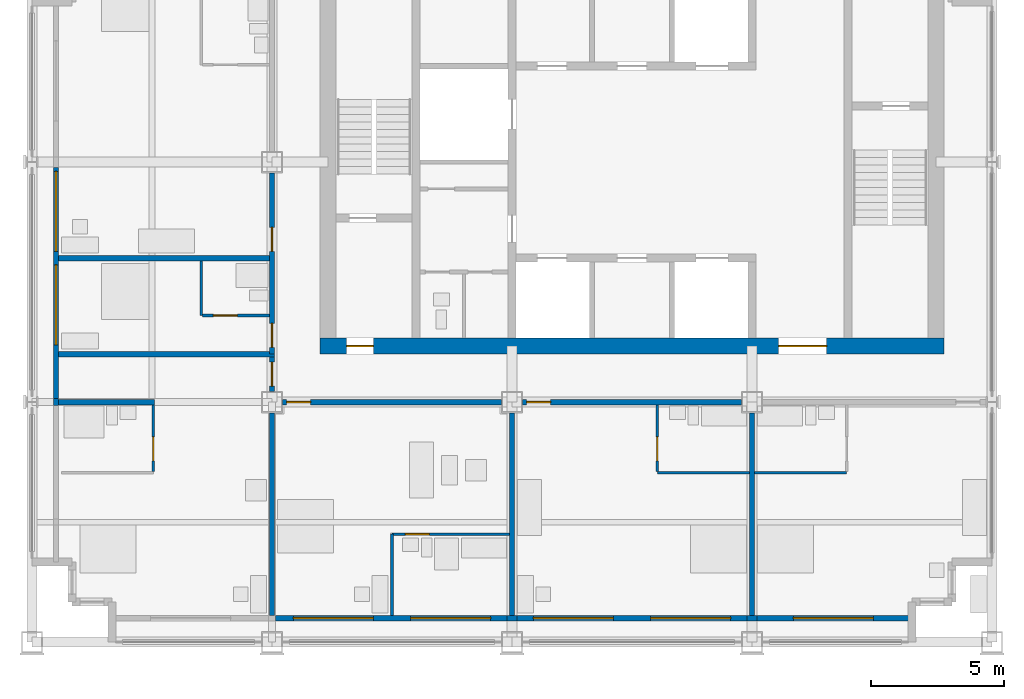
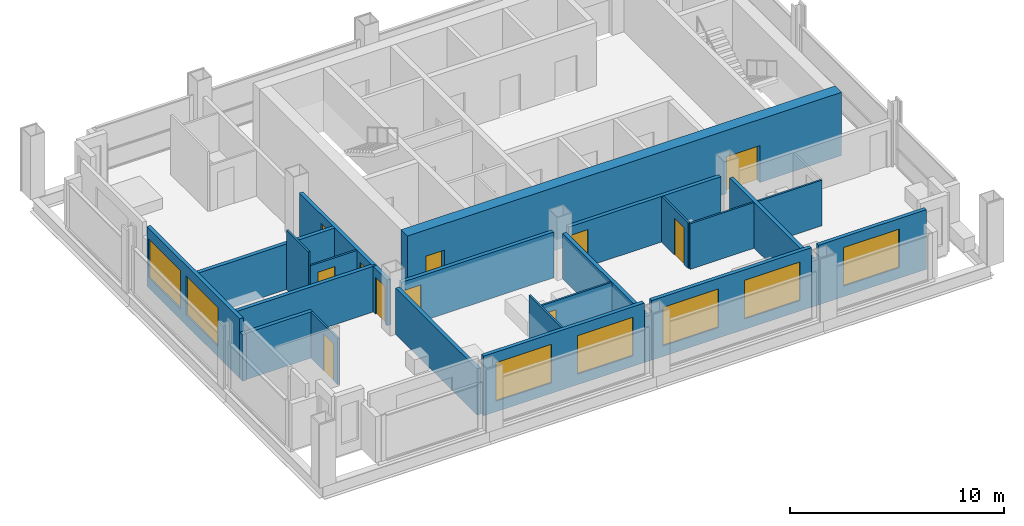
# One storey, part 6 of 11: 26 walls, 11 doors, 7 windows, 18 openings.
"""IFC4 building model written with IfcOpenShell, lengths in metres."""

import ifcopenshell
import ifcopenshell.guid

model = None  # the IFC model being written
_history = None  # IfcOwnerHistory: only IFC2X3 demands one
_inside = {}  # id of a spatial element -> (the spatial element, [elements in it])
_under = {}  # id of a project, library or spatial element -> (it, [spatial elements below it])
_declared = {}  # id of a project -> (the project, [libraries it declares])
_typed = {}  # id of a type object -> (the type object, [elements of that type])
_made_of = {}  # id of a material, layer set ... -> (it, [elements and type objects made of it])


def new_model(schema):
    """Start an empty IFC model of exactly this schema.

    Asked for "IFC4X3", IfcOpenShell would pick the latest addendum, in which some entities
    have other attributes; the version numbers below select the first issue.
    IFC2X3 requires an IfcOwnerHistory on every rooted entity: one is made here for all.
    """
    global model, _history
    if schema == "IFC4X3":
        model = ifcopenshell.file(schema_version=(4, 3, 0, 0))
    else:
        model = ifcopenshell.file(schema=schema)
    _inside.clear()
    _under.clear()
    _declared.clear()
    _typed.clear()
    _made_of.clear()
    _history = None
    if model.schema == "IFC2X3":
        org = make("IfcOrganization", Name="unknown")
        user = make(
            "IfcPersonAndOrganization",
            ThePerson=make("IfcPerson", FamilyName="unknown"),
            TheOrganization=org,
        )
        app = make(
            "IfcApplication",
            ApplicationDeveloper=org,
            Version="unknown",
            ApplicationFullName="unknown",
            ApplicationIdentifier="unknown",
        )
        _history = make(
            "IfcOwnerHistory",
            OwningUser=user,
            OwningApplication=app,
            ChangeAction="ADDED",
            CreationDate=0,
        )
    return model


def make(cls, **values):
    """One entity of the class cls with the attributes given. An attribute that is None is left unset."""
    return model.create_entity(
        cls, **{name: value for name, value in values.items() if value is not None}
    )


def rooted(cls, **values):
    """An entity with a GlobalId (a new one), such as an element, a storey or a relation."""
    return make(cls, GlobalId=ifcopenshell.guid.new(), OwnerHistory=_history, **values)


def si_unit(unit_type, name, prefix=None):
    """IfcSIUnit, for example si_unit("LENGTHUNIT", "METRE", prefix="MILLI")."""
    return make("IfcSIUnit", UnitType=unit_type, Prefix=prefix, Name=name)


def assignment(units):
    """IfcUnitAssignment: the units of a project."""
    return None if units is None else make("IfcUnitAssignment", Units=units)


def point(xyz):
    """IfcCartesianPoint."""
    return None if xyz is None else make("IfcCartesianPoint", Coordinates=xyz)


def direction(xyz):
    """IfcDirection."""
    return None if xyz is None else make("IfcDirection", DirectionRatios=xyz)


def frame(location, z_axis=None, x_axis=None):
    """IfcAxis2Placement3D, a coordinate frame: its origin and axes. An axis left out is left unset."""
    return make(
        "IfcAxis2Placement3D",
        Location=point(location),
        Axis=direction(z_axis),
        RefDirection=direction(x_axis),
    )


def frame_2d(location, x_axis=None):
    """IfcAxis2Placement2D, a coordinate frame in the plane: its origin and x axis."""
    return make(
        "IfcAxis2Placement2D", Location=point(location), RefDirection=direction(x_axis)
    )


def origin():
    """The frame at (0, 0, 0) with its axes left unset."""
    return frame((0.0, 0.0, 0.0))


def place(relative_to, where):
    """IfcLocalPlacement: puts the frame where relative to a parent placement (None: the world)."""
    return make(
        "IfcLocalPlacement", PlacementRelTo=relative_to, RelativePlacement=where
    )


def context(
    kind, dimensions, precision=None, world=None, true_north=None, identifier=None
):
    """IfcGeometricRepresentationContext, for example the 3D "Model" context."""
    return make(
        "IfcGeometricRepresentationContext",
        ContextIdentifier=identifier,
        ContextType=kind,
        CoordinateSpaceDimension=dimensions,
        Precision=precision,
        WorldCoordinateSystem=world,
        TrueNorth=true_north,
    )


def subcontext(parent, identifier, kind, view, scale=None):
    """IfcGeometricRepresentationSubContext, for example "Body" below "Model"."""
    return make(
        "IfcGeometricRepresentationSubContext",
        ContextIdentifier=identifier,
        ContextType=kind,
        ParentContext=parent,
        TargetScale=scale,
        TargetView=view,
    )


def project(units=None, contexts=None):
    """IfcProject with its units and contexts."""
    return rooted(
        "IfcProject",
        Name="project",
        RepresentationContexts=contexts,
        UnitsInContext=assignment(units),
    )


def spatial(cls, under=None, at=None, **own):
    """A site, building, storey or space (cls), placed at a placement, below another one or the project."""
    s = rooted(cls, ObjectPlacement=at, **own)
    if under is not None:
        _under.setdefault(under.id(), (under, []))[1].append(s)
    return s


def profile(cls, at=None, kind="AREA", **sizes):
    """A parametric profile (cls). Its sizes go by their IFC names, for example OverallWidth=200.0."""
    return make(cls, ProfileType=kind, Position=at, **sizes)


def rectangle(**sizes):
    """IfcRectangleProfileDef."""
    return profile("IfcRectangleProfileDef", **sizes)


def extrude(swept, where, along, depth):
    """IfcExtrudedAreaSolid: the profile swept, set in the frame where, extruded along a direction by depth."""
    return make(
        "IfcExtrudedAreaSolid",
        SweptArea=swept,
        Position=where,
        ExtrudedDirection=direction(along),
        Depth=depth,
    )


def shape(context_of_items, identifier, shape_type, items):
    """IfcShapeRepresentation: the items that make up one representation, for example the "Body"."""
    return make(
        "IfcShapeRepresentation",
        ContextOfItems=context_of_items,
        RepresentationIdentifier=identifier,
        RepresentationType=shape_type,
        Items=items,
    )


def material(Name=None, Category=None):
    """IfcMaterial."""
    return make("IfcMaterial", Name=Name, Category=Category)


def layer(
    of_material, thickness, ventilated=None, Name=None, Category=None, Priority=None
):
    """IfcMaterialLayer: one layer of a wall or slab, of a material (None: an air gap)."""
    return make(
        "IfcMaterialLayer",
        Material=of_material,
        LayerThickness=thickness,
        IsVentilated=ventilated,
        Name=Name,
        Category=Category,
        Priority=Priority,
    )


def layer_set(layers, Name=None):
    """IfcMaterialLayerSet."""
    return make("IfcMaterialLayerSet", MaterialLayers=layers, LayerSetName=Name)


def made_of(thing, what):
    """Note that an element or type object is made of a material, layer set ...; save() writes the relation."""
    if what is not None:
        _made_of.setdefault(what.id(), (what, []))[1].append(thing)
    return thing


def type_object(cls, material=None, **own):
    """A type object (cls), such as IfcWallType, which elements share."""
    return made_of(rooted(cls, **own), material)


def element(
    cls,
    number,
    at=None,
    inside=None,
    cuts=None,
    type_object=None,
    material=None,
    context=None,
    identifier="Body",
    shape_type=None,
    held_by="IfcProductDefinitionShape",
    body=None,
    shapes=None,
    **own,
):
    """One element of the class cls, such as IfcWall. Its Tag is "e" and its number.

    at: its placement. inside: the storey or other place that contains it. cuts: it is an
    opening in that element (IfcRelVoidsElement). A single representation is given by context,
    identifier, shape_type and body (its items); several are given by shapes. held_by: the class
    of the entity that holds the representations. save() writes the other relations.
    """
    e = rooted(cls, Tag="e%d" % number, ObjectPlacement=at, **own)
    if body is not None:
        shapes = [shape(context, identifier, shape_type, body)]
    if shapes is not None:
        e.Representation = make(held_by, Representations=shapes)
    if inside is not None:
        _inside.setdefault(inside.id(), (inside, []))[1].append(e)
    if cuts is not None:
        rooted(
            "IfcRelVoidsElement", RelatingBuildingElement=cuts, RelatedOpeningElement=e
        )
    if type_object is not None:
        _typed.setdefault(type_object.id(), (type_object, []))[1].append(e)
    return made_of(e, material)


def fill(opening, filler):
    """IfcRelFillsElement: the door or window that sits in an opening."""
    return rooted(
        "IfcRelFillsElement",
        RelatingOpeningElement=opening,
        RelatedBuildingElement=filler,
    )


def aggregate(whole, parts):
    """IfcRelAggregates: a whole, such as a stair, and the parts it consists of."""
    return rooted("IfcRelAggregates", RelatingObject=whole, RelatedObjects=parts)


def save(model, path):
    """Write the relations noted so far, then the file.

    IfcRelAggregates (storeys below a building ...), IfcRelContainedInSpatialStructure (elements
    in a storey), IfcRelDefinesByType, IfcRelAssociatesMaterial and IfcRelDeclares: one each for
    every whole, place, type object, material and project.
    """
    for whole, parts in _under.values():
        aggregate(whole, parts)
    for where, things in _inside.values():
        rooted(
            "IfcRelContainedInSpatialStructure",
            RelatedElements=things,
            RelatingStructure=where,
        )
    for kind, things in _typed.values():
        rooted("IfcRelDefinesByType", RelatedObjects=things, RelatingType=kind)
    for what, things in _made_of.values():
        rooted("IfcRelAssociatesMaterial", RelatedObjects=things, RelatingMaterial=what)
    for by, libraries in _declared.values():
        rooted("IfcRelDeclares", RelatingContext=by, RelatedDefinitions=libraries)
    model.write(path)


model = new_model("IFC4")

# Units and contexts
model_context = context("Model", 3, precision=1e-05, world=origin(), true_north=direction((0.0, 1.0)))
body_context = subcontext(model_context, "Body", "Model", "MODEL_VIEW")
ifc_project = project(units=[si_unit("LENGTHUNIT", "METRE"), si_unit("AREAUNIT", "SQUARE_METRE"), si_unit("VOLUMEUNIT", "CUBIC_METRE"), si_unit("PLANEANGLEUNIT", "RADIAN"), si_unit("MASSUNIT", "GRAM", prefix="KILO")], contexts=[model_context])

# Site, building, storey
site_placement = place(None, origin())
site = spatial("IfcSite", under=ifc_project, at=site_placement, CompositionType="ELEMENT")
building_placement = place(site_placement, origin())
building = spatial("IfcBuilding", under=site, at=building_placement, Name="Loomwork Tower", CompositionType="ELEMENT")
storey_placement = place(building_placement, frame((0.0, 0.0, 241.0)))
storey = spatial("IfcBuildingStorey", under=building, at=storey_placement, Name="L66", CompositionType="ELEMENT", Elevation=241.0)

# Wall, openings, doors
ifc_material_1 = material(Name="Concrete 14000 psi (97 MPa)", Category="concrete")
ifc_layer_1 = layer(ifc_material_1, 0.60009765625)
ifc_layer_set_1 = layer_set([ifc_layer_1], Name="Core shear wall 600")
wall_type_1 = type_object("IfcWallType", Name="Core shear wall 600", PredefinedType="SHEAR", material=ifc_layer_set_1)
wall_1_placement = place(storey_placement, frame((10.800048828125, 11.10009765625, 0.0), z_axis=(0.0, 0.0, 1.0), x_axis=(1.0, 0.0, 0.0)))
wall_1 = element("IfcWall", 1, at=wall_1_placement, inside=storey, type_object=wall_type_1, Name="Core wall south L66", PredefinedType="SHEAR", context=body_context, shape_type="SweptSolid", body=[
    extrude(rectangle(XDim=23.39990234375, YDim=0.60009765625, at=frame_2d((11.699951171875, 0.0))), origin(), (0.0, 0.0, 1.0), 3.60009765625),
])
opening_1_placement = place(wall_1_placement, frame((1.0, 0.0, 0.0)))
opening_1 = element("IfcOpeningElement", 2, at=opening_1_placement, cuts=wall_1, Name="Opening D4", PredefinedType="OPENING", context=body_context, shape_type="SweptSolid", body=[
    extrude(rectangle(XDim=1.0, YDim=2.10009765625, at=frame_2d((0.5, 1.050048828125))), frame((0.0, 0.31005859375, 0.0), z_axis=(0.0, -1.0, 0.0), x_axis=(1.0, 0.0, 0.0)), (0.0, 0.0, 1.0), 0.6201171875),
])
opening_2_placement = place(wall_1_placement, frame((17.199951171875, 0.0, 0.0)))
opening_2 = element("IfcOpeningElement", 3, at=opening_2_placement, cuts=wall_1, Name="Opening D6", PredefinedType="OPENING", context=body_context, shape_type="SweptSolid", body=[
    extrude(rectangle(XDim=1.800048828125, YDim=2.10009765625, at=frame_2d((0.89990234375, 1.050048828125))), frame((0.0, 0.31005859375, 0.0), z_axis=(0.0, -1.0, 0.0), x_axis=(1.0, 0.0, 0.0)), (0.0, 0.0, 1.0), 0.6201171875),
])
ifc_material_2 = material(Name="Hollow metal door and frame")
door_type_1 = type_object("IfcDoorType", Name="Lobby passage double door 1800", OperationType="DOUBLE_DOOR_SINGLE_SWING", PredefinedType="DOOR", material=ifc_material_2)
door_1_placement = place(opening_2_placement, origin())
door_1 = element("IfcDoor", 4, at=door_1_placement, inside=storey, type_object=door_type_1, Name="Lobby passage door south", OperationType="DOUBLE_DOOR_SINGLE_SWING", OverallHeight=2.10009765625, OverallWidth=1.800048828125, PredefinedType="DOOR", context=body_context, shape_type="SweptSolid", body=[
    extrude(rectangle(XDim=1.800048828125, YDim=2.10009765625, at=frame_2d((0.89990234375, 1.050048828125))), frame((0.0, 0.02490234375, 0.0), z_axis=(0.0, -1.0, 0.0), x_axis=(1.0, 0.0, 0.0)), (0.0, 0.0, 1.0), 0.050048828125),
])
fill(opening_2, door_1)
ifc_material_3 = material(Name="Hollow metal door and frame")
door_type_2 = type_object("IfcDoorType", Name="Stair door 1000", OperationType="SINGLE_SWING_RIGHT", PredefinedType="DOOR", material=ifc_material_3)
door_2_placement = place(opening_1_placement, origin())
door_2 = element("IfcDoor", 5, at=door_2_placement, inside=storey, type_object=door_type_2, Name="Stair A vestibule door", OperationType="SINGLE_SWING_LEFT", OverallHeight=2.10009765625, OverallWidth=1.0, PredefinedType="DOOR", context=body_context, shape_type="SweptSolid", body=[
    extrude(rectangle(XDim=1.0, YDim=2.10009765625, at=frame_2d((0.5, 1.050048828125))), frame((0.0, 0.02490234375, 0.0), z_axis=(0.0, -1.0, 0.0), x_axis=(1.0, 0.0, 0.0)), (0.0, 0.0, 1.0), 0.050048828125),
])
fill(opening_1, door_2)

# Wall
ifc_material_4 = material(Name="Gypsum board on steel studs, one-hour", Category="steel")
ifc_layer_2 = layer(ifc_material_4, 0.199951171875)
ifc_layer_set_2 = layer_set([ifc_layer_2], Name="Corridor wall 200")
wall_type_2 = type_object("IfcWallType", Name="Corridor wall 200", PredefinedType="PARTITIONING", material=ifc_layer_set_2)
wall_2_placement = place(storey_placement, frame((1.0, 9.0, 0.0), z_axis=(0.0, 0.0, 1.0), x_axis=(1.0, 0.0, 0.0)))
element("IfcWall", 6, at=wall_2_placement, inside=storey, type_object=wall_type_2, Name="South corridor wall 1", PredefinedType="PARTITIONING", context=body_context, shape_type="SweptSolid", body=[
    extrude(rectangle(XDim=3.60009765625, YDim=0.199951171875, at=frame_2d((1.800048828125, 0.0))), origin(), (0.0, 0.0, 1.0), 2.637939453125),
])

# Wall, opening, door
wall_3_placement = place(storey_placement, frame((9.39990234375, 9.0, 0.0), z_axis=(0.0, 0.0, 1.0), x_axis=(1.0, 0.0, 0.0)))
wall_3 = element("IfcWall", 7, at=wall_3_placement, inside=storey, type_object=wall_type_2, Name="South corridor wall 2", PredefinedType="PARTITIONING", context=body_context, shape_type="SweptSolid", body=[
    extrude(rectangle(XDim=8.2001953125, YDim=0.199951171875, at=frame_2d((4.10009765625, 0.0))), origin(), (0.0, 0.0, 1.0), 2.60498046875),
])
opening_3_placement = place(wall_3_placement, frame((0.14990234375, 0.0, 0.0)))
opening_3 = element("IfcOpeningElement", 8, at=opening_3_placement, cuts=wall_3, Name="Opening D1", PredefinedType="OPENING", context=body_context, shape_type="SweptSolid", body=[
    extrude(rectangle(XDim=0.89990234375, YDim=2.10009765625, at=frame_2d((0.449951171875, 1.050048828125))), frame((0.0, 0.10986328125, 0.0), z_axis=(0.0, -1.0, 0.0), x_axis=(1.0, 0.0, 0.0)), (0.0, 0.0, 1.0), 0.219970703125),
])
ifc_material_5 = material(Name="Hollow metal door and frame")
door_type_3 = type_object("IfcDoorType", Name="Guest room entry door 900", OperationType="SINGLE_SWING_LEFT", PredefinedType="DOOR", material=ifc_material_5)
door_3_placement = place(opening_3_placement, frame((0.89990234375, 0.0, 0.0), z_axis=(0.0, 0.0, 1.0), x_axis=(-1.0, 0.0, 0.0)))
door_3 = element("IfcDoor", 9, at=door_3_placement, inside=storey, type_object=door_type_3, Name="Guest room entry door L66 2", OperationType="SINGLE_SWING_RIGHT", OverallHeight=2.10009765625, OverallWidth=0.89990234375, PredefinedType="DOOR", context=body_context, shape_type="SweptSolid", body=[
    extrude(rectangle(XDim=0.89990234375, YDim=2.10009765625, at=frame_2d((0.449951171875, 1.050048828125))), frame((0.0, 0.02490234375, 0.0), z_axis=(0.0, -1.0, 0.0), x_axis=(1.0, 0.0, 0.0)), (0.0, 0.0, 1.0), 0.050048828125),
])
fill(opening_3, door_3)

wall_4_placement = place(storey_placement, frame((18.39990234375, 9.0, 0.0), z_axis=(0.0, 0.0, 1.0), x_axis=(1.0, 0.0, 0.0)))
wall_4 = element("IfcWall", 10, at=wall_4_placement, inside=storey, type_object=wall_type_2, Name="South corridor wall 3", PredefinedType="PARTITIONING", context=body_context, shape_type="SweptSolid", body=[
    extrude(rectangle(XDim=8.2001953125, YDim=0.199951171875, at=frame_2d((4.10009765625, 0.0))), origin(), (0.0, 0.0, 1.0), 2.60498046875),
])
opening_4_placement = place(wall_4_placement, frame((0.14990234375, 0.0, 0.0)))
opening_4 = element("IfcOpeningElement", 11, at=opening_4_placement, cuts=wall_4, Name="Opening D1", PredefinedType="OPENING", context=body_context, shape_type="SweptSolid", body=[
    extrude(rectangle(XDim=0.89990234375, YDim=2.10009765625, at=frame_2d((0.449951171875, 1.050048828125))), frame((0.0, 0.10986328125, 0.0), z_axis=(0.0, -1.0, 0.0), x_axis=(1.0, 0.0, 0.0)), (0.0, 0.0, 1.0), 0.219970703125),
])
door_4_placement = place(opening_4_placement, frame((0.89990234375, 0.0, 0.0), z_axis=(0.0, 0.0, 1.0), x_axis=(-1.0, 0.0, 0.0)))
door_4 = element("IfcDoor", 12, at=door_4_placement, inside=storey, type_object=door_type_3, Name="Guest room entry door L66 3", OperationType="SINGLE_SWING_RIGHT", OverallHeight=2.10009765625, OverallWidth=0.89990234375, PredefinedType="DOOR", context=body_context, shape_type="SweptSolid", body=[
    extrude(rectangle(XDim=0.89990234375, YDim=2.10009765625, at=frame_2d((0.449951171875, 1.050048828125))), frame((0.0, 0.02490234375, 0.0), z_axis=(0.0, -1.0, 0.0), x_axis=(1.0, 0.0, 0.0)), (0.0, 0.0, 1.0), 0.050048828125),
])
fill(opening_4, door_4)

# Wall, openings, doors
wall_5_placement = place(storey_placement, frame((9.0, 10.800048828125, 0.0), z_axis=(0.0, 0.0, 1.0), x_axis=(0.0, 1.0, 0.0)))
wall_5 = element("IfcWall", 13, at=wall_5_placement, inside=storey, type_object=wall_type_2, Name="West corridor wall 1", PredefinedType="PARTITIONING", context=body_context, shape_type="SweptSolid", body=[
    extrude(rectangle(XDim=6.800048828125, YDim=0.199951171875, at=frame_2d((3.39990234375, 0.0))), origin(), (0.0, 0.0, 1.0), 2.60498046875),
])
opening_5_placement = place(wall_5_placement, frame((0.25, 0.0, 0.0)))
opening_5 = element("IfcOpeningElement", 14, at=opening_5_placement, cuts=wall_5, Name="Opening D1", PredefinedType="OPENING", context=body_context, shape_type="SweptSolid", body=[
    extrude(rectangle(XDim=0.89990234375, YDim=2.10009765625, at=frame_2d((0.449951171875, 1.050048828125))), frame((0.0, 0.10986328125, 0.0), z_axis=(0.0, -1.0, 0.0), x_axis=(1.0, 0.0, 0.0)), (0.0, 0.0, 1.0), 0.219970703125),
])
opening_6_placement = place(wall_5_placement, frame((3.85009765625, 0.0, 0.0)))
opening_6 = element("IfcOpeningElement", 15, at=opening_6_placement, cuts=wall_5, Name="Opening D1", PredefinedType="OPENING", context=body_context, shape_type="SweptSolid", body=[
    extrude(rectangle(XDim=0.89990234375, YDim=2.10009765625, at=frame_2d((0.449951171875, 1.050048828125))), frame((0.0, 0.10986328125, 0.0), z_axis=(0.0, -1.0, 0.0), x_axis=(1.0, 0.0, 0.0)), (0.0, 0.0, 1.0), 0.219970703125),
])
door_5_placement = place(opening_5_placement, origin())
door_5 = element("IfcDoor", 16, at=door_5_placement, inside=storey, type_object=door_type_3, Name="Guest room entry door L66 5", OperationType="SINGLE_SWING_LEFT", OverallHeight=2.10009765625, OverallWidth=0.89990234375, PredefinedType="DOOR", context=body_context, shape_type="SweptSolid", body=[
    extrude(rectangle(XDim=0.89990234375, YDim=2.10009765625, at=frame_2d((0.449951171875, 1.050048828125))), frame((0.0, 0.02490234375, 0.0), z_axis=(0.0, -1.0, 0.0), x_axis=(1.0, 0.0, 0.0)), (0.0, 0.0, 1.0), 0.050048828125),
])
fill(opening_5, door_5)
door_6_placement = place(opening_6_placement, origin())
door_6 = element("IfcDoor", 17, at=door_6_placement, inside=storey, type_object=door_type_3, Name="Guest room entry door L66 6", OperationType="SINGLE_SWING_LEFT", OverallHeight=2.10009765625, OverallWidth=0.89990234375, PredefinedType="DOOR", context=body_context, shape_type="SweptSolid", body=[
    extrude(rectangle(XDim=0.89990234375, YDim=2.10009765625, at=frame_2d((0.449951171875, 1.050048828125))), frame((0.0, 0.02490234375, 0.0), z_axis=(0.0, -1.0, 0.0), x_axis=(1.0, 0.0, 0.0)), (0.0, 0.0, 1.0), 0.050048828125),
])
fill(opening_6, door_6)

# Wall
wall_6_placement = place(storey_placement, frame((1.0, 10.800048828125, 0.0), z_axis=(0.0, 0.0, 1.0), x_axis=(1.0, 0.0, 0.0)))
element("IfcWall", 18, at=wall_6_placement, inside=storey, type_object=wall_type_2, Name="West band end wall S", PredefinedType="PARTITIONING", context=body_context, shape_type="SweptSolid", body=[
    extrude(rectangle(XDim=8.10009765625, YDim=0.199951171875, at=frame_2d((4.050048828125, 0.0))), origin(), (0.0, 0.0, 1.0), 2.60400390625),
])

# Wall, opening, door
wall_7_placement = place(storey_placement, frame((9.0, 9.39990234375, 0.0), z_axis=(0.0, 0.0, 1.0), x_axis=(0.0, 1.0, 0.0)))
wall_7 = element("IfcWall", 19, at=wall_7_placement, inside=storey, type_object=wall_type_2, Name="Corner suite foyer wall", PredefinedType="PARTITIONING", context=body_context, shape_type="SweptSolid", body=[
    extrude(rectangle(XDim=1.300048828125, YDim=0.199951171875, at=frame_2d((0.64990234375, 0.0))), origin(), (0.0, 0.0, 1.0), 2.60498046875),
])
opening_7_placement = place(wall_7_placement, frame((0.199951171875, 0.0, 0.0)))
opening_7 = element("IfcOpeningElement", 20, at=opening_7_placement, cuts=wall_7, Name="Opening D1", PredefinedType="OPENING", context=body_context, shape_type="SweptSolid", body=[
    extrude(rectangle(XDim=0.89990234375, YDim=2.10009765625, at=frame_2d((0.449951171875, 1.050048828125))), frame((0.0, 0.10986328125, 0.0), z_axis=(0.0, -1.0, 0.0), x_axis=(1.0, 0.0, 0.0)), (0.0, 0.0, 1.0), 0.219970703125),
])
door_7_placement = place(opening_7_placement, origin())
door_7 = element("IfcDoor", 21, at=door_7_placement, inside=storey, type_object=door_type_3, Name="Guest room entry door L66 1", OperationType="SINGLE_SWING_RIGHT", OverallHeight=2.10009765625, OverallWidth=0.89990234375, PredefinedType="DOOR", context=body_context, shape_type="SweptSolid", body=[
    extrude(rectangle(XDim=0.89990234375, YDim=2.10009765625, at=frame_2d((0.449951171875, 1.050048828125))), frame((0.0, 0.02490234375, 0.0), z_axis=(0.0, -1.0, 0.0), x_axis=(1.0, 0.0, 0.0)), (0.0, 0.0, 1.0), 0.050048828125),
])
fill(opening_7, door_7)

ifc_material_6 = material(Name="Cement board on steel studs", Category="steel")
ifc_layer_3 = layer(ifc_material_6, 0.10009765625)
ifc_layer_set_3 = layer_set([ifc_layer_3], Name="En-suite partition 100")
wall_type_3 = type_object("IfcWallType", Name="En-suite partition 100", PredefinedType="PARTITIONING", material=ifc_layer_set_3)
wall_8_placement = place(storey_placement, frame((4.550048828125, 8.89990234375, 0.0), z_axis=(0.0, 0.0, 1.0), x_axis=(0.0, -1.0, 0.0)))
wall_8 = element("IfcWall", 22, at=wall_8_placement, inside=storey, type_object=wall_type_3, Name="En-suite side wall L66 room 1", PredefinedType="PARTITIONING", context=body_context, shape_type="SweptSolid", body=[
    extrude(rectangle(XDim=2.5, YDim=0.10009765625, at=frame_2d((1.25, 0.0))), origin(), (0.0, 0.0, 1.0), 2.637939453125),
])
opening_8_placement = place(wall_8_placement, frame((1.199951171875, 0.0, 0.0)))
opening_8 = element("IfcOpeningElement", 23, at=opening_8_placement, cuts=wall_8, Name="Opening D3", PredefinedType="OPENING", context=body_context, shape_type="SweptSolid", body=[
    extrude(rectangle(XDim=0.89990234375, YDim=2.10009765625, at=frame_2d((0.449951171875, 1.050048828125))), frame((0.0, 0.06005859375, 0.0), z_axis=(0.0, -1.0, 0.0), x_axis=(1.0, 0.0, 0.0)), (0.0, 0.0, 1.0), 0.1201171875),
])
ifc_material_7 = material(Name="Hollow metal door and frame")
door_type_4 = type_object("IfcDoorType", Name="Accessible en-suite door 900", OperationType="SLIDING_TO_LEFT", PredefinedType="DOOR", material=ifc_material_7)
door_8_placement = place(opening_8_placement, origin())
door_8 = element("IfcDoor", 24, at=door_8_placement, inside=storey, type_object=door_type_4, Name="Accessible en-suite door room 1", OperationType="SLIDING_TO_LEFT", OverallHeight=2.10009765625, OverallWidth=0.89990234375, PredefinedType="DOOR", context=body_context, shape_type="SweptSolid", body=[
    extrude(rectangle(XDim=0.89990234375, YDim=2.10009765625, at=frame_2d((0.449951171875, 1.050048828125))), frame((0.0, 0.02490234375, 0.0), z_axis=(0.0, -1.0, 0.0), x_axis=(1.0, 0.0, 0.0)), (0.0, 0.0, 1.0), 0.050048828125),
])
fill(opening_8, door_8)

wall_9_placement = place(storey_placement, frame((13.5, 4.050048828125, 0.0), z_axis=(0.0, 0.0, 1.0), x_axis=(1.0, 0.0, 0.0)))
wall_9 = element("IfcWall", 25, at=wall_9_placement, inside=storey, type_object=wall_type_3, Name="Spa bathroom wall L66 room 2", PredefinedType="PARTITIONING", context=body_context, shape_type="SweptSolid", body=[
    extrude(rectangle(XDim=4.39990234375, YDim=0.10009765625, at=frame_2d((2.199951171875, 0.0))), origin(), (0.0, 0.0, 1.0), 2.60400390625),
])
opening_9_placement = place(wall_9_placement, frame((0.5, 0.0, 0.0)))
opening_9 = element("IfcOpeningElement", 26, at=opening_9_placement, cuts=wall_9, Name="Opening D2", PredefinedType="OPENING", context=body_context, shape_type="SweptSolid", body=[
    extrude(rectangle(XDim=0.89990234375, YDim=2.10009765625, at=frame_2d((0.449951171875, 1.050048828125))), frame((0.0, 0.06005859375, 0.0), z_axis=(0.0, -1.0, 0.0), x_axis=(1.0, 0.0, 0.0)), (0.0, 0.0, 1.0), 0.1201171875),
])
ifc_material_8 = material(Name="Hollow metal door and frame")
door_type_5 = type_object("IfcDoorType", Name="En-suite door 900", OperationType="SINGLE_SWING_LEFT", PredefinedType="DOOR", material=ifc_material_8)
door_9_placement = place(opening_9_placement, frame((0.89990234375, 0.0, 0.0), z_axis=(0.0, 0.0, 1.0), x_axis=(-1.0, 0.0, 0.0)))
door_9 = element("IfcDoor", 27, at=door_9_placement, inside=storey, type_object=door_type_5, Name="Spa bathroom door room 2", OperationType="SINGLE_SWING_RIGHT", OverallHeight=2.10009765625, OverallWidth=0.89990234375, PredefinedType="DOOR", context=body_context, shape_type="SweptSolid", body=[
    extrude(rectangle(XDim=0.89990234375, YDim=2.10009765625, at=frame_2d((0.449951171875, 1.050048828125))), frame((0.0, 0.02490234375, 0.0), z_axis=(0.0, -1.0, 0.0), x_axis=(1.0, 0.0, 0.0)), (0.0, 0.0, 1.0), 0.050048828125),
])
fill(opening_9, door_9)

# Walls
wall_10_placement = place(storey_placement, frame((13.5, 4.050048828125, 0.0), z_axis=(0.0, 0.0, 1.0), x_axis=(0.0, -1.0, 0.0)))
element("IfcWall", 28, at=wall_10_placement, inside=storey, type_object=wall_type_3, Name="Spa bathroom side wall L66 room 2", PredefinedType="PARTITIONING", context=body_context, shape_type="SweptSolid", body=[
    extrude(rectangle(XDim=3.050048828125, YDim=0.10009765625, at=frame_2d((1.52490234375, 0.0))), origin(), (0.0, 0.0, 1.0), 3.39990234375),
])
wall_11_placement = place(storey_placement, frame((23.449951171875, 6.35009765625, 0.0), z_axis=(0.0, 0.0, 1.0), x_axis=(1.0, 0.0, 0.0)))
element("IfcWall", 29, at=wall_11_placement, inside=storey, type_object=wall_type_3, Name="En-suite wall L66 room 3", PredefinedType="PARTITIONING", context=body_context, shape_type="SweptSolid", body=[
    extrude(rectangle(XDim=3.449951171875, YDim=0.10009765625, at=frame_2d((1.72509765625, 0.0))), origin(), (0.0, 0.0, 1.0), 2.60400390625),
])

# Wall, opening, door
wall_12_placement = place(storey_placement, frame((23.449951171875, 8.89990234375, 0.0), z_axis=(0.0, 0.0, 1.0), x_axis=(0.0, -1.0, 0.0)))
wall_12 = element("IfcWall", 30, at=wall_12_placement, inside=storey, type_object=wall_type_3, Name="En-suite side wall L66 room 3", PredefinedType="PARTITIONING", context=body_context, shape_type="SweptSolid", body=[
    extrude(rectangle(XDim=2.5, YDim=0.10009765625, at=frame_2d((1.25, 0.0))), origin(), (0.0, 0.0, 1.0), 2.60400390625),
])
opening_10_placement = place(wall_12_placement, frame((1.199951171875, 0.0, 0.0)))
opening_10 = element("IfcOpeningElement", 31, at=opening_10_placement, cuts=wall_12, Name="Opening D2", PredefinedType="OPENING", context=body_context, shape_type="SweptSolid", body=[
    extrude(rectangle(XDim=0.89990234375, YDim=2.10009765625, at=frame_2d((0.449951171875, 1.050048828125))), frame((0.0, 0.06005859375, 0.0), z_axis=(0.0, -1.0, 0.0), x_axis=(1.0, 0.0, 0.0)), (0.0, 0.0, 1.0), 0.1201171875),
])
door_10_placement = place(opening_10_placement, origin())
door_10 = element("IfcDoor", 32, at=door_10_placement, inside=storey, type_object=door_type_5, Name="En-suite door room 3", OperationType="SINGLE_SWING_RIGHT", OverallHeight=2.10009765625, OverallWidth=0.89990234375, PredefinedType="DOOR", context=body_context, shape_type="SweptSolid", body=[
    extrude(rectangle(XDim=0.89990234375, YDim=2.10009765625, at=frame_2d((0.449951171875, 1.050048828125))), frame((0.0, 0.02490234375, 0.0), z_axis=(0.0, -1.0, 0.0), x_axis=(1.0, 0.0, 0.0)), (0.0, 0.0, 1.0), 0.050048828125),
])
fill(opening_10, door_10)

# Walls
wall_13_placement = place(storey_placement, frame((27.10009765625, 6.35009765625, 0.0), z_axis=(0.0, 0.0, 1.0), x_axis=(1.0, 0.0, 0.0)))
element("IfcWall", 33, at=wall_13_placement, inside=storey, type_object=wall_type_3, Name="En-suite wall L66 room 4", PredefinedType="PARTITIONING", context=body_context, shape_type="SweptSolid", body=[
    extrude(rectangle(XDim=3.449951171875, YDim=0.10009765625, at=frame_2d((1.72509765625, 0.0))), origin(), (0.0, 0.0, 1.0), 2.60400390625),
])
wall_14_placement = place(storey_placement, frame((6.35009765625, 12.25, 0.0), z_axis=(0.0, 0.0, 1.0), x_axis=(0.0, 1.0, 0.0)))
element("IfcWall", 34, at=wall_14_placement, inside=storey, type_object=wall_type_3, Name="En-suite wall L66 room 5", PredefinedType="PARTITIONING", context=body_context, shape_type="SweptSolid", body=[
    extrude(rectangle(XDim=2.050048828125, YDim=0.10009765625, at=frame_2d((1.02490234375, 0.0))), origin(), (0.0, 0.0, 1.0), 3.39990234375),
])

# Wall, opening, door
wall_15_placement = place(storey_placement, frame((8.89990234375, 12.25, 0.0), z_axis=(0.0, 0.0, 1.0), x_axis=(-1.0, 0.0, 0.0)))
wall_15 = element("IfcWall", 35, at=wall_15_placement, inside=storey, type_object=wall_type_3, Name="En-suite side wall L66 room 5", PredefinedType="PARTITIONING", context=body_context, shape_type="SweptSolid", body=[
    extrude(rectangle(XDim=2.5, YDim=0.10009765625, at=frame_2d((1.25, 0.0))), origin(), (0.0, 0.0, 1.0), 2.60400390625),
])
opening_11_placement = place(wall_15_placement, frame((1.199951171875, 0.0, 0.0)))
opening_11 = element("IfcOpeningElement", 36, at=opening_11_placement, cuts=wall_15, Name="Opening D2", PredefinedType="OPENING", context=body_context, shape_type="SweptSolid", body=[
    extrude(rectangle(XDim=0.89990234375, YDim=2.10009765625, at=frame_2d((0.449951171875, 1.050048828125))), frame((0.0, 0.06005859375, 0.0), z_axis=(0.0, -1.0, 0.0), x_axis=(1.0, 0.0, 0.0)), (0.0, 0.0, 1.0), 0.1201171875),
])
door_11_placement = place(opening_11_placement, frame((0.89990234375, 0.0, 0.0), z_axis=(0.0, 0.0, 1.0), x_axis=(-1.0, 0.0, 0.0)))
door_11 = element("IfcDoor", 37, at=door_11_placement, inside=storey, type_object=door_type_5, Name="En-suite door room 5", OperationType="SINGLE_SWING_LEFT", OverallHeight=2.10009765625, OverallWidth=0.89990234375, PredefinedType="DOOR", context=body_context, shape_type="SweptSolid", body=[
    extrude(rectangle(XDim=0.89990234375, YDim=2.10009765625, at=frame_2d((0.449951171875, 1.050048828125))), frame((0.0, 0.02490234375, 0.0), z_axis=(0.0, -1.0, 0.0), x_axis=(1.0, 0.0, 0.0)), (0.0, 0.0, 1.0), 0.050048828125),
])
fill(opening_11, door_11)

# Walls
ifc_material_9 = material(Name="Gypsum board on steel studs, acoustic", Category="steel")
ifc_layer_4 = layer(ifc_material_9, 0.199951171875)
ifc_layer_set_4 = layer_set([ifc_layer_4], Name="Guest room party wall 200")
wall_type_4 = type_object("IfcWallType", Name="Guest room party wall 200", PredefinedType="PARTITIONING", material=ifc_layer_set_4)
wall_16_placement = place(storey_placement, frame((9.0, 8.60009765625, 0.0), z_axis=(0.0, 0.0, 1.0), x_axis=(0.0, -1.0, 0.0)))
element("IfcWall", 38, at=wall_16_placement, inside=storey, type_object=wall_type_4, Name="Guest room party wall S 9", PredefinedType="PARTITIONING", context=body_context, shape_type="SweptSolid", body=[
    extrude(rectangle(XDim=7.60009765625, YDim=0.199951171875, at=frame_2d((3.800048828125, 0.0))), origin(), (0.0, 0.0, 1.0), 2.637939453125),
])
for number, where, z_axis, x_axis, name in (
    (39, (18.0, 8.60009765625, 0.0), (0.0, 0.0, 1.0), (0.0, -1.0, 0.0), "Guest room party wall S 18"),
    (40, (27.0, 8.60009765625, 0.0), (0.0, 0.0, 1.0), (0.0, -1.0, 0.0), "Guest room party wall S 27"),
):
    element("IfcWall", number, at=place(storey_placement, frame(where, z_axis=z_axis, x_axis=x_axis)), inside=storey, type_object=wall_type_4, Name=name, PredefinedType="PARTITIONING", context=body_context, shape_type="SweptSolid", body=[
        extrude(rectangle(XDim=7.60009765625, YDim=0.199951171875, at=frame_2d((3.800048828125, 0.0))), origin(), (0.0, 0.0, 1.0), 2.60498046875),
    ])
wall_17_placement = place(storey_placement, frame((8.89990234375, 14.39990234375, 0.0), z_axis=(0.0, 0.0, 1.0), x_axis=(-1.0, 0.0, 0.0)))
element("IfcWall", 41, at=wall_17_placement, inside=storey, type_object=wall_type_4, Name="Guest room party wall W 14.4", PredefinedType="PARTITIONING", context=body_context, shape_type="SweptSolid", body=[
    extrude(rectangle(XDim=7.89990234375, YDim=0.199951171875, at=frame_2d((3.949951171875, 0.0))), origin(), (0.0, 0.0, 1.0), 2.60400390625),
])

# Wall, openings, windows
ifc_material_10 = material(Name="Insulated steel stud wall with gypsum lining", Category="steel")
ifc_layer_5 = layer(ifc_material_10, 0.199951171875)
ifc_layer_set_5 = layer_set([ifc_layer_5], Name="Inner skin wall 200")
wall_type_5 = type_object("IfcWallType", Name="Inner skin wall 200", PredefinedType="SOLIDWALL", material=ifc_layer_set_5)
wall_18_placement = place(storey_placement, frame((9.13525390625, 0.89990234375, 0.0), z_axis=(0.0, 0.0, 1.0), x_axis=(1.0, 0.0, 0.0)))
wall_18 = element("IfcWall", 42, at=wall_18_placement, inside=storey, type_object=wall_type_5, Name="Inner skin wall S bay 3", PredefinedType="SOLIDWALL", context=body_context, shape_type="SweptSolid", body=[
    extrude(rectangle(XDim=8.6708984375, YDim=0.199951171875, at=frame_2d((4.33544921875, 0.0))), origin(), (0.0, 0.0, 1.0), 3.39990234375),
])
opening_12_placement = place(wall_18_placement, frame((0.664794921875, 0.0, 0.60009765625)))
opening_12 = element("IfcOpeningElement", 43, at=opening_12_placement, cuts=wall_18, Name="Opening CH1", PredefinedType="OPENING", context=body_context, shape_type="SweptSolid", body=[
    extrude(rectangle(XDim=3.0, YDim=2.199951171875, at=frame_2d((1.5, 1.10009765625))), frame((0.0, 0.10986328125, 0.0), z_axis=(0.0, -1.0, 0.0), x_axis=(1.0, 0.0, 0.0)), (0.0, 0.0, 1.0), 0.219970703125),
])
opening_13_placement = place(wall_18_placement, frame((5.064697265625, 0.0, 0.60009765625)))
opening_13 = element("IfcOpeningElement", 44, at=opening_13_placement, cuts=wall_18, Name="Opening CH1", PredefinedType="OPENING", context=body_context, shape_type="SweptSolid", body=[
    extrude(rectangle(XDim=3.0, YDim=2.199951171875, at=frame_2d((1.5, 1.10009765625))), frame((0.0, 0.10986328125, 0.0), z_axis=(0.0, -1.0, 0.0), x_axis=(1.0, 0.0, 0.0)), (0.0, 0.0, 1.0), 0.219970703125),
])
ifc_material_11 = material(Name="Aluminium frame with clear insulated glass", Category="aluminium")
window_type = type_object("IfcWindowType", Name="Chicago window 3000", PartitioningType="TRIPLE_PANEL_VERTICAL", PredefinedType="WINDOW", material=ifc_material_11)
window_1_placement = place(opening_12_placement, origin())
window_1 = element("IfcWindow", 45, at=window_1_placement, inside=storey, type_object=window_type, Name="Chicago window L66 bay 2", OverallHeight=2.199951171875, OverallWidth=3.0, PartitioningType="TRIPLE_PANEL_VERTICAL", PredefinedType="WINDOW", context=body_context, shape_type="SweptSolid", body=[
    extrude(rectangle(XDim=3.0, YDim=2.199951171875, at=frame_2d((1.5, 1.10009765625))), frame((0.0, 0.030029296875, 0.0), z_axis=(0.0, -1.0, 0.0), x_axis=(1.0, 0.0, 0.0)), (0.0, 0.0, 1.0), 0.06005859375),
])
fill(opening_12, window_1)
window_2_placement = place(opening_13_placement, origin())
window_2 = element("IfcWindow", 46, at=window_2_placement, inside=storey, type_object=window_type, Name="Chicago window L66 bay 2", OverallHeight=2.199951171875, OverallWidth=3.0, PartitioningType="TRIPLE_PANEL_VERTICAL", PredefinedType="WINDOW", context=body_context, shape_type="SweptSolid", body=[
    extrude(rectangle(XDim=3.0, YDim=2.199951171875, at=frame_2d((1.5, 1.10009765625))), frame((0.0, 0.030029296875, 0.0), z_axis=(0.0, -1.0, 0.0), x_axis=(1.0, 0.0, 0.0)), (0.0, 0.0, 1.0), 0.06005859375),
])
fill(opening_13, window_2)

# Wall
wall_19_placement = place(storey_placement, frame((17.80615234375, 0.89990234375, 0.0), z_axis=(0.0, 0.0, 1.0), x_axis=(1.0, 0.0, 0.0)))
element("IfcWall", 47, at=wall_19_placement, inside=storey, type_object=wall_type_5, Name="Inner skin wall S bay 4", PredefinedType="SOLIDWALL", context=body_context, shape_type="SweptSolid", body=[
    extrude(rectangle(XDim=0.3876953125, YDim=0.199951171875, at=frame_2d((0.19384765625, 0.0))), origin(), (0.0, 0.0, 1.0), 2.60400390625),
])

# Wall, openings, windows
wall_20_placement = place(storey_placement, frame((18.19384765625, 0.89990234375, 0.0), z_axis=(0.0, 0.0, 1.0), x_axis=(1.0, 0.0, 0.0)))
wall_20 = element("IfcWall", 48, at=wall_20_placement, inside=storey, type_object=wall_type_5, Name="Inner skin wall S bay 5", PredefinedType="SOLIDWALL", context=body_context, shape_type="SweptSolid", body=[
    extrude(rectangle(XDim=8.6123046875, YDim=0.199951171875, at=frame_2d((4.30615234375, 0.0))), origin(), (0.0, 0.0, 1.0), 3.39990234375),
])
opening_14_placement = place(wall_20_placement, frame((0.606201171875, 0.0, 0.60009765625)))
opening_14 = element("IfcOpeningElement", 49, at=opening_14_placement, cuts=wall_20, Name="Opening CH1", PredefinedType="OPENING", context=body_context, shape_type="SweptSolid", body=[
    extrude(rectangle(XDim=3.0, YDim=2.199951171875, at=frame_2d((1.5, 1.10009765625))), frame((0.0, 0.10986328125, 0.0), z_axis=(0.0, -1.0, 0.0), x_axis=(1.0, 0.0, 0.0)), (0.0, 0.0, 1.0), 0.219970703125),
])
opening_15_placement = place(wall_20_placement, frame((5.006103515625, 0.0, 0.60009765625)))
opening_15 = element("IfcOpeningElement", 50, at=opening_15_placement, cuts=wall_20, Name="Opening CH1", PredefinedType="OPENING", context=body_context, shape_type="SweptSolid", body=[
    extrude(rectangle(XDim=3.0, YDim=2.199951171875, at=frame_2d((1.5, 1.10009765625))), frame((0.0, 0.10986328125, 0.0), z_axis=(0.0, -1.0, 0.0), x_axis=(1.0, 0.0, 0.0)), (0.0, 0.0, 1.0), 0.219970703125),
])
window_3_placement = place(opening_14_placement, origin())
window_3 = element("IfcWindow", 51, at=window_3_placement, inside=storey, type_object=window_type, Name="Chicago window L66 bay 3", OverallHeight=2.199951171875, OverallWidth=3.0, PartitioningType="TRIPLE_PANEL_VERTICAL", PredefinedType="WINDOW", context=body_context, shape_type="SweptSolid", body=[
    extrude(rectangle(XDim=3.0, YDim=2.199951171875, at=frame_2d((1.5, 1.10009765625))), frame((0.0, 0.030029296875, 0.0), z_axis=(0.0, -1.0, 0.0), x_axis=(1.0, 0.0, 0.0)), (0.0, 0.0, 1.0), 0.06005859375),
])
fill(opening_14, window_3)
window_4_placement = place(opening_15_placement, origin())
window_4 = element("IfcWindow", 52, at=window_4_placement, inside=storey, type_object=window_type, Name="Chicago window L66 bay 3", OverallHeight=2.199951171875, OverallWidth=3.0, PartitioningType="TRIPLE_PANEL_VERTICAL", PredefinedType="WINDOW", context=body_context, shape_type="SweptSolid", body=[
    extrude(rectangle(XDim=3.0, YDim=2.199951171875, at=frame_2d((1.5, 1.10009765625))), frame((0.0, 0.030029296875, 0.0), z_axis=(0.0, -1.0, 0.0), x_axis=(1.0, 0.0, 0.0)), (0.0, 0.0, 1.0), 0.06005859375),
])
fill(opening_15, window_4)

# Wall
wall_21_placement = place(storey_placement, frame((26.80615234375, 0.89990234375, 0.0), z_axis=(0.0, 0.0, 1.0), x_axis=(1.0, 0.0, 0.0)))
element("IfcWall", 53, at=wall_21_placement, inside=storey, type_object=wall_type_5, Name="Inner skin wall S bay 6", PredefinedType="SOLIDWALL", context=body_context, shape_type="SweptSolid", body=[
    extrude(rectangle(XDim=0.3876953125, YDim=0.199951171875, at=frame_2d((0.19384765625, 0.0))), origin(), (0.0, 0.0, 1.0), 2.60400390625),
])

# Wall, opening, window
wall_22_placement = place(storey_placement, frame((27.19384765625, 0.89990234375, 0.0), z_axis=(0.0, 0.0, 1.0), x_axis=(1.0, 0.0, 0.0)))
wall_22 = element("IfcWall", 54, at=wall_22_placement, inside=storey, type_object=wall_type_5, Name="Inner skin wall S bay 7", PredefinedType="SOLIDWALL", context=body_context, shape_type="SweptSolid", body=[
    extrude(rectangle(XDim=5.80615234375, YDim=0.199951171875, at=frame_2d((2.903076171875, 0.0))), origin(), (0.0, 0.0, 1.0), 3.39990234375),
])
opening_16_placement = place(wall_22_placement, frame((1.356201171875, 0.0, 0.60009765625)))
opening_16 = element("IfcOpeningElement", 55, at=opening_16_placement, cuts=wall_22, Name="Opening CH1", PredefinedType="OPENING", context=body_context, shape_type="SweptSolid", body=[
    extrude(rectangle(XDim=3.0, YDim=2.199951171875, at=frame_2d((1.5, 1.10009765625))), frame((0.0, 0.10986328125, 0.0), z_axis=(0.0, -1.0, 0.0), x_axis=(1.0, 0.0, 0.0)), (0.0, 0.0, 1.0), 0.219970703125),
])
window_5_placement = place(opening_16_placement, origin())
window_5 = element("IfcWindow", 56, at=window_5_placement, inside=storey, type_object=window_type, Name="Chicago window L66 bay 4", OverallHeight=2.199951171875, OverallWidth=3.0, PartitioningType="TRIPLE_PANEL_VERTICAL", PredefinedType="WINDOW", context=body_context, shape_type="SweptSolid", body=[
    extrude(rectangle(XDim=3.0, YDim=2.199951171875, at=frame_2d((1.5, 1.10009765625))), frame((0.0, 0.030029296875, 0.0), z_axis=(0.0, -1.0, 0.0), x_axis=(1.0, 0.0, 0.0)), (0.0, 0.0, 1.0), 0.06005859375),
])
fill(opening_16, window_5)

# Wall
wall_23_placement = place(storey_placement, frame((0.89990234375, 8.86474609375, 0.0), z_axis=(0.0, 0.0, 1.0), x_axis=(0.0, 1.0, 0.0)))
element("IfcWall", 57, at=wall_23_placement, inside=storey, type_object=wall_type_5, Name="Inner skin wall W bay 4", PredefinedType="SOLIDWALL", context=body_context, shape_type="SweptSolid", body=[
    extrude(rectangle(XDim=0.2705078125, YDim=0.199951171875, at=frame_2d((0.13525390625, 0.0))), origin(), (0.0, 0.0, 1.0), 2.637939453125),
])

# Wall, openings, windows
wall_24_placement = place(storey_placement, frame((0.89990234375, 9.13525390625, 0.0), z_axis=(0.0, 0.0, 1.0), x_axis=(0.0, 1.0, 0.0)))
wall_24 = element("IfcWall", 58, at=wall_24_placement, inside=storey, type_object=wall_type_5, Name="Inner skin wall W bay 5", PredefinedType="SOLIDWALL", context=body_context, shape_type="SweptSolid", body=[
    extrude(rectangle(XDim=8.6708984375, YDim=0.199951171875, at=frame_2d((4.33544921875, 0.0))), origin(), (0.0, 0.0, 1.0), 3.39990234375),
])
opening_17_placement = place(wall_24_placement, frame((2.0146484375, 0.0, 0.60009765625)))
opening_17 = element("IfcOpeningElement", 59, at=opening_17_placement, cuts=wall_24, Name="Opening CH1", PredefinedType="OPENING", context=body_context, shape_type="SweptSolid", body=[
    extrude(rectangle(XDim=3.0, YDim=2.199951171875, at=frame_2d((1.5, 1.10009765625))), frame((0.0, 0.10986328125, 0.0), z_axis=(0.0, -1.0, 0.0), x_axis=(1.0, 0.0, 0.0)), (0.0, 0.0, 1.0), 0.219970703125),
])
opening_18_placement = place(wall_24_placement, frame((5.5146484375, 0.0, 0.60009765625)))
opening_18 = element("IfcOpeningElement", 60, at=opening_18_placement, cuts=wall_24, Name="Opening CH1", PredefinedType="OPENING", context=body_context, shape_type="SweptSolid", body=[
    extrude(rectangle(XDim=3.0, YDim=2.199951171875, at=frame_2d((1.5, 1.10009765625))), frame((0.0, 0.10986328125, 0.0), z_axis=(0.0, -1.0, 0.0), x_axis=(1.0, 0.0, 0.0)), (0.0, 0.0, 1.0), 0.219970703125),
])
window_6_placement = place(opening_17_placement, origin())
window_6 = element("IfcWindow", 61, at=window_6_placement, inside=storey, type_object=window_type, Name="Chicago window L66 bay 5", OverallHeight=2.199951171875, OverallWidth=3.0, PartitioningType="TRIPLE_PANEL_VERTICAL", PredefinedType="WINDOW", context=body_context, shape_type="SweptSolid", body=[
    extrude(rectangle(XDim=3.0, YDim=2.199951171875, at=frame_2d((1.5, 1.10009765625))), frame((0.0, 0.030029296875, 0.0), z_axis=(0.0, -1.0, 0.0), x_axis=(1.0, 0.0, 0.0)), (0.0, 0.0, 1.0), 0.06005859375),
])
fill(opening_17, window_6)
window_7_placement = place(opening_18_placement, origin())
window_7 = element("IfcWindow", 62, at=window_7_placement, inside=storey, type_object=window_type, Name="Chicago window L66 bay 5", OverallHeight=2.199951171875, OverallWidth=3.0, PartitioningType="TRIPLE_PANEL_VERTICAL", PredefinedType="WINDOW", context=body_context, shape_type="SweptSolid", body=[
    extrude(rectangle(XDim=3.0, YDim=2.199951171875, at=frame_2d((1.5, 1.10009765625))), frame((0.0, 0.030029296875, 0.0), z_axis=(0.0, -1.0, 0.0), x_axis=(1.0, 0.0, 0.0)), (0.0, 0.0, 1.0), 0.06005859375),
])
fill(opening_18, window_7)

save(model, "model.ifc")
